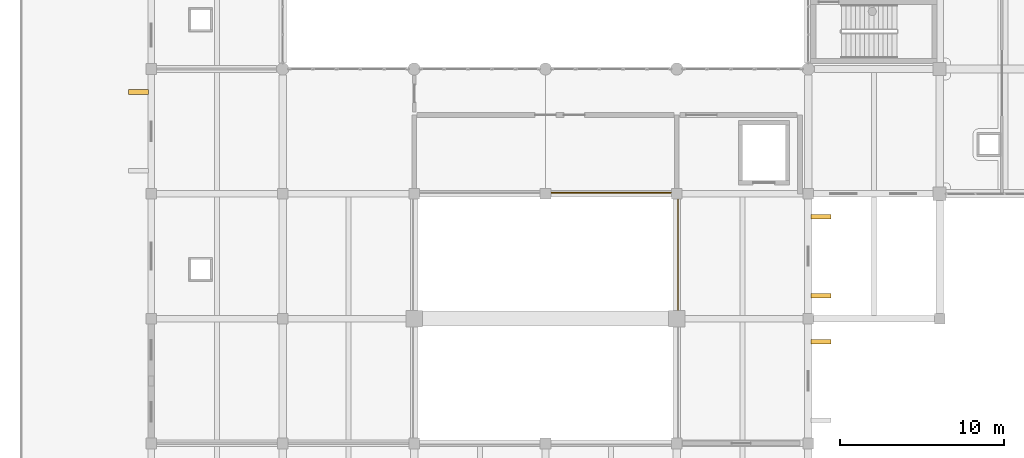
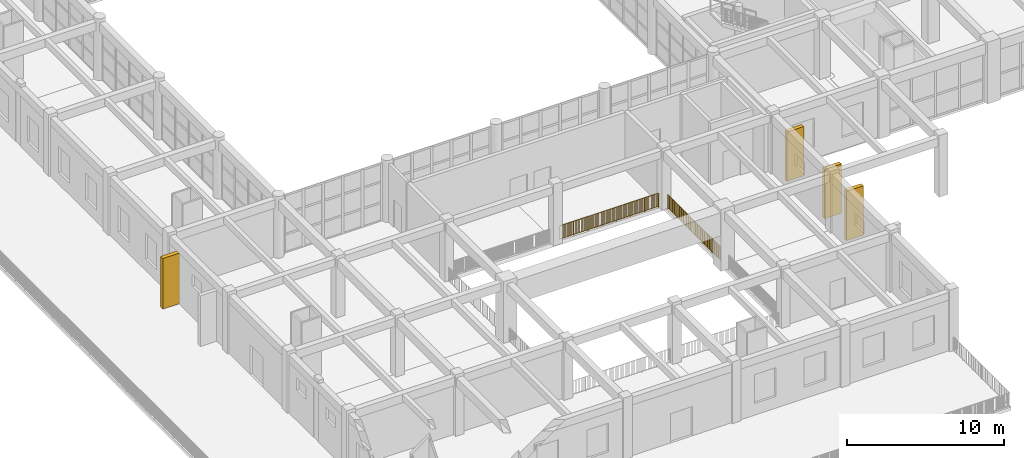
# One storey, part 88 of 101: 4 shading devices, 2 railings.
"""IFC4 building model written with IfcOpenShell, lengths in metres."""

from ifc_helpers import new_model, si_unit, direction, frame, origin, origin_2d, place, context, subcontext, project, spatial, rectangle, circle, extrude, material, type_object, element, save


model = new_model("IFC4")

# Units and contexts
model_context = context("Model", 3, precision=1e-05, world=origin(), true_north=direction((0.0, 1.0)))
body_context = subcontext(model_context, "Body", "Model", "MODEL_VIEW")
ifc_project = project(units=[si_unit("LENGTHUNIT", "METRE"), si_unit("AREAUNIT", "SQUARE_METRE"), si_unit("VOLUMEUNIT", "CUBIC_METRE"), si_unit("PLANEANGLEUNIT", "RADIAN"), si_unit("MASSUNIT", "GRAM", prefix="KILO")], contexts=[model_context])

# Site, building, storey
site_placement = place(None, origin())
site = spatial("IfcSite", under=ifc_project, at=site_placement, CompositionType="ELEMENT")
building_placement = place(site_placement, origin())
building = spatial("IfcBuilding", under=site, at=building_placement, Name="Zantavel Square City Hall", CompositionType="ELEMENT")
storey_placement = place(building_placement, frame((0.0, 0.0, 5.39990234375)))
storey = spatial("IfcBuildingStorey", under=building, at=storey_placement, Name="L02", CompositionType="ELEMENT", Elevation=5.39990234375)

# Railings
ifc_material_1 = material(Name="Steel ASTM A500 Grade B", Category="steel")
railing_type = type_object("IfcRailingType", Name="Atrium & Gallery Steel Guard Railing 1100mm", PredefinedType="GUARDRAIL", material=ifc_material_1)
railing_1_placement = place(storey_placement, frame((39.635009765625, 30.469970703125, 0.0)))
element("IfcRailing", 1, at=railing_1_placement, inside=storey, type_object=railing_type, Name="L02 Atrium Void Guard 007", PredefinedType="GUARDRAIL", context=body_context, shape_type="SweptSolid", body=[
    extrude(circle(Radius=0.02392578125, at=origin_2d()), frame((0.0, 0.0, 1.09619140625), z_axis=(-1.0, 0.0, 0.0), x_axis=(0.0, -1.0, 0.0)), (0.0, 0.0, 1.0), 7.27001953125),
    extrude(rectangle(XDim=0.031982421875, YDim=0.031982421875, at=origin_2d()), frame((0.0, 0.0, 0.080078125), z_axis=(-1.0, 0.0, 0.0), x_axis=(0.0, -1.0, 0.0)), (0.0, 0.0, 1.0), 7.27001953125),
    extrude(rectangle(XDim=0.02197265625, YDim=0.02197265625, at=origin_2d()), frame((-0.08984375, 0.0, 0.080078125)), (0.0, 0.0, 1.0), 0.991943359375),
    extrude(rectangle(XDim=0.02197265625, YDim=0.02197265625, at=origin_2d()), frame((-0.179443359375, 0.0, 0.080078125)), (0.0, 0.0, 1.0), 0.991943359375),
    extrude(rectangle(XDim=0.02197265625, YDim=0.02197265625, at=origin_2d()), frame((-0.269287109375, 0.0, 0.080078125)), (0.0, 0.0, 1.0), 0.991943359375),
    extrude(rectangle(XDim=0.02197265625, YDim=0.02197265625, at=origin_2d()), frame((-0.359130859375, 0.0, 0.080078125)), (0.0, 0.0, 1.0), 0.991943359375),
    extrude(rectangle(XDim=0.02197265625, YDim=0.02197265625, at=origin_2d()), frame((-0.44873046875, 0.0, 0.080078125)), (0.0, 0.0, 1.0), 0.991943359375),
    extrude(rectangle(XDim=0.02197265625, YDim=0.02197265625, at=origin_2d()), frame((-0.53857421875, 0.0, 0.080078125)), (0.0, 0.0, 1.0), 0.991943359375),
    extrude(rectangle(XDim=0.02197265625, YDim=0.02197265625, at=origin_2d()), frame((-0.628173828125, 0.0, 0.080078125)), (0.0, 0.0, 1.0), 0.991943359375),
    extrude(rectangle(XDim=0.02197265625, YDim=0.02197265625, at=origin_2d()), frame((-0.718017578125, 0.0, 0.080078125)), (0.0, 0.0, 1.0), 0.991943359375),
    extrude(rectangle(XDim=0.02197265625, YDim=0.02197265625, at=origin_2d()), frame((-0.807861328125, 0.0, 0.080078125)), (0.0, 0.0, 1.0), 0.991943359375),
    extrude(rectangle(XDim=0.02197265625, YDim=0.02197265625, at=origin_2d()), frame((-0.8974609375, 0.0, 0.080078125)), (0.0, 0.0, 1.0), 0.991943359375),
    extrude(rectangle(XDim=0.02197265625, YDim=0.02197265625, at=origin_2d()), frame((-0.9873046875, 0.0, 0.080078125)), (0.0, 0.0, 1.0), 0.991943359375),
    extrude(rectangle(XDim=0.02197265625, YDim=0.02197265625, at=origin_2d()), frame((-1.166748046875, 0.0, 0.080078125)), (0.0, 0.0, 1.0), 0.991943359375),
    extrude(rectangle(XDim=0.02197265625, YDim=0.02197265625, at=origin_2d()), frame((-1.256591796875, 0.0, 0.080078125)), (0.0, 0.0, 1.0), 0.991943359375),
    extrude(rectangle(XDim=0.02197265625, YDim=0.02197265625, at=origin_2d()), frame((-1.34619140625, 0.0, 0.080078125)), (0.0, 0.0, 1.0), 0.991943359375),
    extrude(rectangle(XDim=0.02197265625, YDim=0.02197265625, at=origin_2d()), frame((-1.43603515625, 0.0, 0.080078125)), (0.0, 0.0, 1.0), 0.991943359375),
    extrude(rectangle(XDim=0.02197265625, YDim=0.02197265625, at=origin_2d()), frame((-1.52587890625, 0.0, 0.080078125)), (0.0, 0.0, 1.0), 0.991943359375),
    extrude(rectangle(XDim=0.02197265625, YDim=0.02197265625, at=origin_2d()), frame((-1.615478515625, 0.0, 0.080078125)), (0.0, 0.0, 1.0), 0.991943359375),
    extrude(rectangle(XDim=0.02197265625, YDim=0.02197265625, at=origin_2d()), frame((-1.705322265625, 0.0, 0.080078125)), (0.0, 0.0, 1.0), 0.991943359375),
    extrude(rectangle(XDim=0.02197265625, YDim=0.02197265625, at=origin_2d()), frame((-1.795166015625, 0.0, 0.080078125)), (0.0, 0.0, 1.0), 0.991943359375),
    extrude(rectangle(XDim=0.02197265625, YDim=0.02197265625, at=origin_2d()), frame((-1.884765625, 0.0, 0.080078125)), (0.0, 0.0, 1.0), 0.991943359375),
    extrude(rectangle(XDim=0.02197265625, YDim=0.02197265625, at=origin_2d()), frame((-1.974609375, 0.0, 0.080078125)), (0.0, 0.0, 1.0), 0.991943359375),
    extrude(rectangle(XDim=0.02197265625, YDim=0.02197265625, at=origin_2d()), frame((-2.154052734375, 0.0, 0.080078125)), (0.0, 0.0, 1.0), 0.991943359375),
    extrude(rectangle(XDim=0.02197265625, YDim=0.02197265625, at=origin_2d()), frame((-2.243896484375, 0.0, 0.080078125)), (0.0, 0.0, 1.0), 0.991943359375),
    extrude(rectangle(XDim=0.02197265625, YDim=0.02197265625, at=origin_2d()), frame((-2.33349609375, 0.0, 0.080078125)), (0.0, 0.0, 1.0), 0.991943359375),
    extrude(rectangle(XDim=0.02197265625, YDim=0.02197265625, at=origin_2d()), frame((-2.42333984375, 0.0, 0.080078125)), (0.0, 0.0, 1.0), 0.991943359375),
    extrude(rectangle(XDim=0.02197265625, YDim=0.02197265625, at=origin_2d()), frame((-2.51318359375, 0.0, 0.080078125)), (0.0, 0.0, 1.0), 0.991943359375),
    extrude(rectangle(XDim=0.02197265625, YDim=0.02197265625, at=origin_2d()), frame((-2.602783203125, 0.0, 0.080078125)), (0.0, 0.0, 1.0), 0.991943359375),
    extrude(rectangle(XDim=0.02197265625, YDim=0.02197265625, at=origin_2d()), frame((-2.692626953125, 0.0, 0.080078125)), (0.0, 0.0, 1.0), 0.991943359375),
    extrude(rectangle(XDim=0.02197265625, YDim=0.02197265625, at=origin_2d()), frame((-2.782470703125, 0.0, 0.080078125)), (0.0, 0.0, 1.0), 0.991943359375),
    extrude(rectangle(XDim=0.02197265625, YDim=0.02197265625, at=origin_2d()), frame((-2.8720703125, 0.0, 0.080078125)), (0.0, 0.0, 1.0), 0.991943359375),
    extrude(rectangle(XDim=0.02197265625, YDim=0.02197265625, at=origin_2d()), frame((-2.9619140625, 0.0, 0.080078125)), (0.0, 0.0, 1.0), 0.991943359375),
    extrude(rectangle(XDim=0.02197265625, YDim=0.02197265625, at=origin_2d()), frame((-3.051513671875, 0.0, 0.080078125)), (0.0, 0.0, 1.0), 0.991943359375),
    extrude(rectangle(XDim=0.02197265625, YDim=0.02197265625, at=origin_2d()), frame((-3.231201171875, 0.0, 0.080078125)), (0.0, 0.0, 1.0), 0.991943359375),
    extrude(rectangle(XDim=0.02197265625, YDim=0.02197265625, at=origin_2d()), frame((-3.32080078125, 0.0, 0.080078125)), (0.0, 0.0, 1.0), 0.991943359375),
    extrude(rectangle(XDim=0.02197265625, YDim=0.02197265625, at=origin_2d()), frame((-3.41064453125, 0.0, 0.080078125)), (0.0, 0.0, 1.0), 0.991943359375),
    extrude(rectangle(XDim=0.02197265625, YDim=0.02197265625, at=origin_2d()), frame((-3.50048828125, 0.0, 0.080078125)), (0.0, 0.0, 1.0), 0.991943359375),
    extrude(rectangle(XDim=0.02197265625, YDim=0.02197265625, at=origin_2d()), frame((-3.590087890625, 0.0, 0.080078125)), (0.0, 0.0, 1.0), 0.991943359375),
    extrude(rectangle(XDim=0.02197265625, YDim=0.02197265625, at=origin_2d()), frame((-3.679931640625, 0.0, 0.080078125)), (0.0, 0.0, 1.0), 0.991943359375),
    extrude(rectangle(XDim=0.02197265625, YDim=0.02197265625, at=origin_2d()), frame((-3.76953125, 0.0, 0.080078125)), (0.0, 0.0, 1.0), 0.991943359375),
    extrude(rectangle(XDim=0.02197265625, YDim=0.02197265625, at=origin_2d()), frame((-3.859375, 0.0, 0.080078125)), (0.0, 0.0, 1.0), 0.991943359375),
    extrude(rectangle(XDim=0.02197265625, YDim=0.02197265625, at=origin_2d()), frame((-3.94921875, 0.0, 0.080078125)), (0.0, 0.0, 1.0), 0.991943359375),
    extrude(rectangle(XDim=0.02197265625, YDim=0.02197265625, at=origin_2d()), frame((-4.038818359375, 0.0, 0.080078125)), (0.0, 0.0, 1.0), 0.991943359375),
    extrude(rectangle(XDim=0.02197265625, YDim=0.02197265625, at=origin_2d()), frame((-4.218505859375, 0.0, 0.080078125)), (0.0, 0.0, 1.0), 0.991943359375),
    extrude(rectangle(XDim=0.02197265625, YDim=0.02197265625, at=origin_2d()), frame((-4.30810546875, 0.0, 0.080078125)), (0.0, 0.0, 1.0), 0.991943359375),
    extrude(rectangle(XDim=0.02197265625, YDim=0.02197265625, at=origin_2d()), frame((-4.39794921875, 0.0, 0.080078125)), (0.0, 0.0, 1.0), 0.991943359375),
    extrude(rectangle(XDim=0.02197265625, YDim=0.02197265625, at=origin_2d()), frame((-4.487548828125, 0.0, 0.080078125)), (0.0, 0.0, 1.0), 0.991943359375),
    extrude(rectangle(XDim=0.02197265625, YDim=0.02197265625, at=origin_2d()), frame((-4.577392578125, 0.0, 0.080078125)), (0.0, 0.0, 1.0), 0.991943359375),
    extrude(rectangle(XDim=0.02197265625, YDim=0.02197265625, at=origin_2d()), frame((-4.667236328125, 0.0, 0.080078125)), (0.0, 0.0, 1.0), 0.991943359375),
    extrude(rectangle(XDim=0.02197265625, YDim=0.02197265625, at=origin_2d()), frame((-4.7568359375, 0.0, 0.080078125)), (0.0, 0.0, 1.0), 0.991943359375),
    extrude(rectangle(XDim=0.02197265625, YDim=0.02197265625, at=origin_2d()), frame((-4.8466796875, 0.0, 0.080078125)), (0.0, 0.0, 1.0), 0.991943359375),
    extrude(rectangle(XDim=0.02197265625, YDim=0.02197265625, at=origin_2d()), frame((-4.9365234375, 0.0, 0.080078125)), (0.0, 0.0, 1.0), 0.991943359375),
    extrude(rectangle(XDim=0.02197265625, YDim=0.02197265625, at=origin_2d()), frame((-5.026123046875, 0.0, 0.080078125)), (0.0, 0.0, 1.0), 0.991943359375),
    extrude(rectangle(XDim=0.02197265625, YDim=0.02197265625, at=origin_2d()), frame((-5.115966796875, 0.0, 0.080078125)), (0.0, 0.0, 1.0), 0.991943359375),
    extrude(rectangle(XDim=0.02197265625, YDim=0.02197265625, at=origin_2d()), frame((-5.29541015625, 0.0, 0.080078125)), (0.0, 0.0, 1.0), 0.991943359375),
    extrude(rectangle(XDim=0.02197265625, YDim=0.02197265625, at=origin_2d()), frame((-5.38525390625, 0.0, 0.080078125)), (0.0, 0.0, 1.0), 0.991943359375),
    extrude(rectangle(XDim=0.02197265625, YDim=0.02197265625, at=origin_2d()), frame((-5.474853515625, 0.0, 0.080078125)), (0.0, 0.0, 1.0), 0.991943359375),
    extrude(rectangle(XDim=0.02197265625, YDim=0.02197265625, at=origin_2d()), frame((-5.564697265625, 0.0, 0.080078125)), (0.0, 0.0, 1.0), 0.991943359375),
    extrude(rectangle(XDim=0.02197265625, YDim=0.02197265625, at=origin_2d()), frame((-5.654541015625, 0.0, 0.080078125)), (0.0, 0.0, 1.0), 0.991943359375),
    extrude(rectangle(XDim=0.02197265625, YDim=0.02197265625, at=origin_2d()), frame((-5.744140625, 0.0, 0.080078125)), (0.0, 0.0, 1.0), 0.991943359375),
    extrude(rectangle(XDim=0.02197265625, YDim=0.02197265625, at=origin_2d()), frame((-5.833984375, 0.0, 0.080078125)), (0.0, 0.0, 1.0), 0.991943359375),
    extrude(rectangle(XDim=0.02197265625, YDim=0.02197265625, at=origin_2d()), frame((-5.923828125, 0.0, 0.080078125)), (0.0, 0.0, 1.0), 0.991943359375),
    extrude(rectangle(XDim=0.02197265625, YDim=0.02197265625, at=origin_2d()), frame((-6.013427734375, 0.0, 0.080078125)), (0.0, 0.0, 1.0), 0.991943359375),
    extrude(rectangle(XDim=0.02197265625, YDim=0.02197265625, at=origin_2d()), frame((-6.103271484375, 0.0, 0.080078125)), (0.0, 0.0, 1.0), 0.991943359375),
    extrude(rectangle(XDim=0.02197265625, YDim=0.02197265625, at=origin_2d()), frame((-6.28271484375, 0.0, 0.080078125)), (0.0, 0.0, 1.0), 0.991943359375),
    extrude(rectangle(XDim=0.02197265625, YDim=0.02197265625, at=origin_2d()), frame((-6.37255859375, 0.0, 0.080078125)), (0.0, 0.0, 1.0), 0.991943359375),
    extrude(rectangle(XDim=0.02197265625, YDim=0.02197265625, at=origin_2d()), frame((-6.462158203125, 0.0, 0.080078125)), (0.0, 0.0, 1.0), 0.991943359375),
    extrude(rectangle(XDim=0.02197265625, YDim=0.02197265625, at=origin_2d()), frame((-6.552001953125, 0.0, 0.080078125)), (0.0, 0.0, 1.0), 0.991943359375),
    extrude(rectangle(XDim=0.02197265625, YDim=0.02197265625, at=origin_2d()), frame((-6.641845703125, 0.0, 0.080078125)), (0.0, 0.0, 1.0), 0.991943359375),
    extrude(rectangle(XDim=0.02197265625, YDim=0.02197265625, at=origin_2d()), frame((-6.7314453125, 0.0, 0.080078125)), (0.0, 0.0, 1.0), 0.991943359375),
    extrude(rectangle(XDim=0.02197265625, YDim=0.02197265625, at=origin_2d()), frame((-6.8212890625, 0.0, 0.080078125)), (0.0, 0.0, 1.0), 0.991943359375),
    extrude(rectangle(XDim=0.02197265625, YDim=0.02197265625, at=origin_2d()), frame((-6.910888671875, 0.0, 0.080078125)), (0.0, 0.0, 1.0), 0.991943359375),
    extrude(rectangle(XDim=0.02197265625, YDim=0.02197265625, at=origin_2d()), frame((-7.000732421875, 0.0, 0.080078125)), (0.0, 0.0, 1.0), 0.991943359375),
    extrude(rectangle(XDim=0.02197265625, YDim=0.02197265625, at=origin_2d()), frame((-7.090576171875, 0.0, 0.080078125)), (0.0, 0.0, 1.0), 0.991943359375),
    extrude(rectangle(XDim=0.02197265625, YDim=0.02197265625, at=origin_2d()), frame((-7.18017578125, 0.0, 0.080078125)), (0.0, 0.0, 1.0), 0.991943359375),
    extrude(circle(Radius=0.02099609375, at=origin_2d()), origin(), (0.0, 0.0, 1.0), 1.072021484375),
    extrude(circle(Radius=0.02099609375, at=origin_2d()), frame((-1.03857421875, 0.0, 0.0)), (0.0, 0.0, 1.0), 1.072021484375),
    extrude(circle(Radius=0.02099609375, at=origin_2d()), frame((-2.0771484375, 0.0, 0.0)), (0.0, 0.0, 1.0), 1.072021484375),
    extrude(circle(Radius=0.02099609375, at=origin_2d()), frame((-3.11572265625, 0.0, 0.0)), (0.0, 0.0, 1.0), 1.072021484375),
    extrude(circle(Radius=0.02099609375, at=origin_2d()), frame((-4.154296875, 0.0, 0.0)), (0.0, 0.0, 1.0), 1.072021484375),
    extrude(circle(Radius=0.02099609375, at=origin_2d()), frame((-5.19287109375, 0.0, 0.0)), (0.0, 0.0, 1.0), 1.072021484375),
    extrude(circle(Radius=0.02099609375, at=origin_2d()), frame((-6.2314453125, 0.0, 0.0)), (0.0, 0.0, 1.0), 1.072021484375),
    extrude(circle(Radius=0.02099609375, at=origin_2d()), frame((-7.27001953125, 0.0, 0.0)), (0.0, 0.0, 1.0), 1.072021484375),
])
railing_2_placement = place(storey_placement, frame((40.070068359375, 23.340087890625, 0.0)))
element("IfcRailing", 2, at=railing_2_placement, inside=storey, type_object=railing_type, Name="L02 Atrium Void Guard 009", PredefinedType="GUARDRAIL", context=body_context, shape_type="SweptSolid", body=[
    extrude(circle(Radius=0.02392578125, at=origin_2d()), frame((0.0, 0.0, 1.09619140625), z_axis=(0.0, 1.0, 0.0), x_axis=(-1.0, 0.0, 0.0)), (0.0, 0.0, 1.0), 6.69482421875),
    extrude(rectangle(XDim=0.031982421875, YDim=0.031982421875, at=origin_2d()), frame((0.0, 0.0, 0.080078125), z_axis=(0.0, 1.0, 0.0), x_axis=(-1.0, 0.0, 0.0)), (0.0, 0.0, 1.0), 6.69482421875),
    extrude(rectangle(XDim=0.02197265625, YDim=0.02197265625, at=origin_2d()), frame((0.0, 0.08935546875, 0.080078125)), (0.0, 0.0, 1.0), 0.991943359375),
    extrude(rectangle(XDim=0.02197265625, YDim=0.02197265625, at=origin_2d()), frame((0.0, 0.178466796875, 0.080078125)), (0.0, 0.0, 1.0), 0.991943359375),
    extrude(rectangle(XDim=0.02197265625, YDim=0.02197265625, at=origin_2d()), frame((0.0, 0.267822265625, 0.080078125)), (0.0, 0.0, 1.0), 0.991943359375),
    extrude(rectangle(XDim=0.02197265625, YDim=0.02197265625, at=origin_2d()), frame((0.0, 0.357177734375, 0.080078125)), (0.0, 0.0, 1.0), 0.991943359375),
    extrude(rectangle(XDim=0.02197265625, YDim=0.02197265625, at=origin_2d()), frame((0.0, 0.4462890625, 0.080078125)), (0.0, 0.0, 1.0), 0.991943359375),
    extrude(rectangle(XDim=0.02197265625, YDim=0.02197265625, at=origin_2d()), frame((0.0, 0.53564453125, 0.080078125)), (0.0, 0.0, 1.0), 0.991943359375),
    extrude(rectangle(XDim=0.02197265625, YDim=0.02197265625, at=origin_2d()), frame((0.0, 0.624755859375, 0.080078125)), (0.0, 0.0, 1.0), 0.991943359375),
    extrude(rectangle(XDim=0.02197265625, YDim=0.02197265625, at=origin_2d()), frame((0.0, 0.714111328125, 0.080078125)), (0.0, 0.0, 1.0), 0.991943359375),
    extrude(rectangle(XDim=0.02197265625, YDim=0.02197265625, at=origin_2d()), frame((0.0, 0.803466796875, 0.080078125)), (0.0, 0.0, 1.0), 0.991943359375),
    extrude(rectangle(XDim=0.02197265625, YDim=0.02197265625, at=origin_2d()), frame((0.0, 0.892578125, 0.080078125)), (0.0, 0.0, 1.0), 0.991943359375),
    extrude(rectangle(XDim=0.02197265625, YDim=0.02197265625, at=origin_2d()), frame((0.0, 0.98193359375, 0.080078125)), (0.0, 0.0, 1.0), 0.991943359375),
    extrude(rectangle(XDim=0.02197265625, YDim=0.02197265625, at=origin_2d()), frame((0.0, 1.249755859375, 0.080078125)), (0.0, 0.0, 1.0), 0.991943359375),
    extrude(rectangle(XDim=0.02197265625, YDim=0.02197265625, at=origin_2d()), frame((0.0, 1.3388671875, 0.080078125)), (0.0, 0.0, 1.0), 0.991943359375),
    extrude(rectangle(XDim=0.02197265625, YDim=0.02197265625, at=origin_2d()), frame((0.0, 1.42822265625, 0.080078125)), (0.0, 0.0, 1.0), 0.991943359375),
    extrude(rectangle(XDim=0.02197265625, YDim=0.02197265625, at=origin_2d()), frame((0.0, 1.517578125, 0.080078125)), (0.0, 0.0, 1.0), 0.991943359375),
    extrude(rectangle(XDim=0.02197265625, YDim=0.02197265625, at=origin_2d()), frame((0.0, 1.606689453125, 0.080078125)), (0.0, 0.0, 1.0), 0.991943359375),
    extrude(rectangle(XDim=0.02197265625, YDim=0.02197265625, at=origin_2d()), frame((0.0, 1.696044921875, 0.080078125)), (0.0, 0.0, 1.0), 0.991943359375),
    extrude(rectangle(XDim=0.02197265625, YDim=0.02197265625, at=origin_2d()), frame((0.0, 1.785400390625, 0.080078125)), (0.0, 0.0, 1.0), 0.991943359375),
    extrude(rectangle(XDim=0.02197265625, YDim=0.02197265625, at=origin_2d()), frame((0.0, 1.87451171875, 0.080078125)), (0.0, 0.0, 1.0), 0.991943359375),
    extrude(rectangle(XDim=0.02197265625, YDim=0.02197265625, at=origin_2d()), frame((0.0, 1.9638671875, 0.080078125)), (0.0, 0.0, 1.0), 0.991943359375),
    extrude(rectangle(XDim=0.02197265625, YDim=0.02197265625, at=origin_2d()), frame((0.0, 2.052978515625, 0.080078125)), (0.0, 0.0, 1.0), 0.991943359375),
    extrude(rectangle(XDim=0.02197265625, YDim=0.02197265625, at=origin_2d()), frame((0.0, 2.142333984375, 0.080078125)), (0.0, 0.0, 1.0), 0.991943359375),
    extrude(rectangle(XDim=0.02197265625, YDim=0.02197265625, at=origin_2d()), frame((0.0, 2.32080078125, 0.080078125)), (0.0, 0.0, 1.0), 0.991943359375),
    extrude(rectangle(XDim=0.02197265625, YDim=0.02197265625, at=origin_2d()), frame((0.0, 2.41015625, 0.080078125)), (0.0, 0.0, 1.0), 0.991943359375),
    extrude(rectangle(XDim=0.02197265625, YDim=0.02197265625, at=origin_2d()), frame((0.0, 2.49951171875, 0.080078125)), (0.0, 0.0, 1.0), 0.991943359375),
    extrude(rectangle(XDim=0.02197265625, YDim=0.02197265625, at=origin_2d()), frame((0.0, 2.588623046875, 0.080078125)), (0.0, 0.0, 1.0), 0.991943359375),
    extrude(rectangle(XDim=0.02197265625, YDim=0.02197265625, at=origin_2d()), frame((0.0, 2.677978515625, 0.080078125)), (0.0, 0.0, 1.0), 0.991943359375),
    extrude(rectangle(XDim=0.02197265625, YDim=0.02197265625, at=origin_2d()), frame((0.0, 2.76708984375, 0.080078125)), (0.0, 0.0, 1.0), 0.991943359375),
    extrude(rectangle(XDim=0.02197265625, YDim=0.02197265625, at=origin_2d()), frame((0.0, 2.8564453125, 0.080078125)), (0.0, 0.0, 1.0), 0.991943359375),
    extrude(rectangle(XDim=0.02197265625, YDim=0.02197265625, at=origin_2d()), frame((0.0, 2.94580078125, 0.080078125)), (0.0, 0.0, 1.0), 0.991943359375),
    extrude(rectangle(XDim=0.02197265625, YDim=0.02197265625, at=origin_2d()), frame((0.0, 3.034912109375, 0.080078125)), (0.0, 0.0, 1.0), 0.991943359375),
    extrude(rectangle(XDim=0.02197265625, YDim=0.02197265625, at=origin_2d()), frame((0.0, 3.124267578125, 0.080078125)), (0.0, 0.0, 1.0), 0.991943359375),
    extrude(rectangle(XDim=0.02197265625, YDim=0.02197265625, at=origin_2d()), frame((0.0, 3.213623046875, 0.080078125)), (0.0, 0.0, 1.0), 0.991943359375),
    extrude(rectangle(XDim=0.02197265625, YDim=0.02197265625, at=origin_2d()), frame((0.0, 3.481201171875, 0.080078125)), (0.0, 0.0, 1.0), 0.991943359375),
    extrude(rectangle(XDim=0.02197265625, YDim=0.02197265625, at=origin_2d()), frame((0.0, 3.570556640625, 0.080078125)), (0.0, 0.0, 1.0), 0.991943359375),
    extrude(rectangle(XDim=0.02197265625, YDim=0.02197265625, at=origin_2d()), frame((0.0, 3.659912109375, 0.080078125)), (0.0, 0.0, 1.0), 0.991943359375),
    extrude(rectangle(XDim=0.02197265625, YDim=0.02197265625, at=origin_2d()), frame((0.0, 3.7490234375, 0.080078125)), (0.0, 0.0, 1.0), 0.991943359375),
    extrude(rectangle(XDim=0.02197265625, YDim=0.02197265625, at=origin_2d()), frame((0.0, 3.83837890625, 0.080078125)), (0.0, 0.0, 1.0), 0.991943359375),
    extrude(rectangle(XDim=0.02197265625, YDim=0.02197265625, at=origin_2d()), frame((0.0, 3.927734375, 0.080078125)), (0.0, 0.0, 1.0), 0.991943359375),
    extrude(rectangle(XDim=0.02197265625, YDim=0.02197265625, at=origin_2d()), frame((0.0, 4.016845703125, 0.080078125)), (0.0, 0.0, 1.0), 0.991943359375),
    extrude(rectangle(XDim=0.02197265625, YDim=0.02197265625, at=origin_2d()), frame((0.0, 4.106201171875, 0.080078125)), (0.0, 0.0, 1.0), 0.991943359375),
    extrude(rectangle(XDim=0.02197265625, YDim=0.02197265625, at=origin_2d()), frame((0.0, 4.1953125, 0.080078125)), (0.0, 0.0, 1.0), 0.991943359375),
    extrude(rectangle(XDim=0.02197265625, YDim=0.02197265625, at=origin_2d()), frame((0.0, 4.28466796875, 0.080078125)), (0.0, 0.0, 1.0), 0.991943359375),
    extrude(rectangle(XDim=0.02197265625, YDim=0.02197265625, at=origin_2d()), frame((0.0, 4.3740234375, 0.080078125)), (0.0, 0.0, 1.0), 0.991943359375),
    extrude(rectangle(XDim=0.02197265625, YDim=0.02197265625, at=origin_2d()), frame((0.0, 4.552490234375, 0.080078125)), (0.0, 0.0, 1.0), 0.991943359375),
    extrude(rectangle(XDim=0.02197265625, YDim=0.02197265625, at=origin_2d()), frame((0.0, 4.641845703125, 0.080078125)), (0.0, 0.0, 1.0), 0.991943359375),
    extrude(rectangle(XDim=0.02197265625, YDim=0.02197265625, at=origin_2d()), frame((0.0, 4.73095703125, 0.080078125)), (0.0, 0.0, 1.0), 0.991943359375),
    extrude(rectangle(XDim=0.02197265625, YDim=0.02197265625, at=origin_2d()), frame((0.0, 4.8203125, 0.080078125)), (0.0, 0.0, 1.0), 0.991943359375),
    extrude(rectangle(XDim=0.02197265625, YDim=0.02197265625, at=origin_2d()), frame((0.0, 4.909423828125, 0.080078125)), (0.0, 0.0, 1.0), 0.991943359375),
    extrude(rectangle(XDim=0.02197265625, YDim=0.02197265625, at=origin_2d()), frame((0.0, 4.998779296875, 0.080078125)), (0.0, 0.0, 1.0), 0.991943359375),
    extrude(rectangle(XDim=0.02197265625, YDim=0.02197265625, at=origin_2d()), frame((0.0, 5.088134765625, 0.080078125)), (0.0, 0.0, 1.0), 0.991943359375),
    extrude(rectangle(XDim=0.02197265625, YDim=0.02197265625, at=origin_2d()), frame((0.0, 5.17724609375, 0.080078125)), (0.0, 0.0, 1.0), 0.991943359375),
    extrude(rectangle(XDim=0.02197265625, YDim=0.02197265625, at=origin_2d()), frame((0.0, 5.2666015625, 0.080078125)), (0.0, 0.0, 1.0), 0.991943359375),
    extrude(rectangle(XDim=0.02197265625, YDim=0.02197265625, at=origin_2d()), frame((0.0, 5.35595703125, 0.080078125)), (0.0, 0.0, 1.0), 0.991943359375),
    extrude(rectangle(XDim=0.02197265625, YDim=0.02197265625, at=origin_2d()), frame((0.0, 5.445068359375, 0.080078125)), (0.0, 0.0, 1.0), 0.991943359375),
    extrude(rectangle(XDim=0.02197265625, YDim=0.02197265625, at=origin_2d()), frame((0.0, 5.712890625, 0.080078125)), (0.0, 0.0, 1.0), 0.991943359375),
    extrude(rectangle(XDim=0.02197265625, YDim=0.02197265625, at=origin_2d()), frame((0.0, 5.80224609375, 0.080078125)), (0.0, 0.0, 1.0), 0.991943359375),
    extrude(rectangle(XDim=0.02197265625, YDim=0.02197265625, at=origin_2d()), frame((0.0, 5.891357421875, 0.080078125)), (0.0, 0.0, 1.0), 0.991943359375),
    extrude(rectangle(XDim=0.02197265625, YDim=0.02197265625, at=origin_2d()), frame((0.0, 5.980712890625, 0.080078125)), (0.0, 0.0, 1.0), 0.991943359375),
    extrude(rectangle(XDim=0.02197265625, YDim=0.02197265625, at=origin_2d()), frame((0.0, 6.070068359375, 0.080078125)), (0.0, 0.0, 1.0), 0.991943359375),
    extrude(rectangle(XDim=0.02197265625, YDim=0.02197265625, at=origin_2d()), frame((0.0, 6.1591796875, 0.080078125)), (0.0, 0.0, 1.0), 0.991943359375),
    extrude(rectangle(XDim=0.02197265625, YDim=0.02197265625, at=origin_2d()), frame((0.0, 6.24853515625, 0.080078125)), (0.0, 0.0, 1.0), 0.991943359375),
    extrude(rectangle(XDim=0.02197265625, YDim=0.02197265625, at=origin_2d()), frame((0.0, 6.337646484375, 0.080078125)), (0.0, 0.0, 1.0), 0.991943359375),
    extrude(rectangle(XDim=0.02197265625, YDim=0.02197265625, at=origin_2d()), frame((0.0, 6.427001953125, 0.080078125)), (0.0, 0.0, 1.0), 0.991943359375),
    extrude(rectangle(XDim=0.02197265625, YDim=0.02197265625, at=origin_2d()), frame((0.0, 6.516357421875, 0.080078125)), (0.0, 0.0, 1.0), 0.991943359375),
    extrude(rectangle(XDim=0.02197265625, YDim=0.02197265625, at=origin_2d()), frame((0.0, 6.60546875, 0.080078125)), (0.0, 0.0, 1.0), 0.991943359375),
    extrude(circle(Radius=0.02099609375, at=origin_2d()), origin(), (0.0, 0.0, 1.0), 1.072021484375),
    extrude(circle(Radius=0.02099609375, at=origin_2d()), frame((0.0, 1.11572265625, 0.0)), (0.0, 0.0, 1.0), 1.072021484375),
    extrude(circle(Radius=0.02099609375, at=origin_2d()), frame((0.0, 2.231689453125, 0.0)), (0.0, 0.0, 1.0), 1.072021484375),
    extrude(circle(Radius=0.02099609375, at=origin_2d()), frame((0.0, 3.347412109375, 0.0)), (0.0, 0.0, 1.0), 1.072021484375),
    extrude(circle(Radius=0.02099609375, at=origin_2d()), frame((0.0, 4.463134765625, 0.0)), (0.0, 0.0, 1.0), 1.072021484375),
    extrude(circle(Radius=0.02099609375, at=origin_2d()), frame((0.0, 5.5791015625, 0.0)), (0.0, 0.0, 1.0), 1.072021484375),
    extrude(circle(Radius=0.02099609375, at=origin_2d()), frame((0.0, 6.69482421875, 0.0)), (0.0, 0.0, 1.0), 1.072021484375),
])

# Shading devices
ifc_material_2 = material(Name="Cantera volcanic tuff stone", Category="masonry")
shading_device_type = type_object("IfcShadingDeviceType", Name="Cantera Vertical Solar Shading Pier 280x1240", PredefinedType="USERDEFINED", material=ifc_material_2)
for number, where, z_axis, x_axis, name in (
    (3, (48.780029296875, 29.0, 0.0), (0.0, 0.0, 1.0), (1.0, 0.0, 0.0), "L02 Cantera Solar Pier 015"),
    (4, (48.780029296875, 24.199951171875, 0.0), (0.0, 0.0, 1.0), (1.0, 0.0, 0.0), "L02 Cantera Solar Pier 016"),
    (5, (48.780029296875, 21.39990234375, 0.0), (0.0, 0.0, 1.0), (1.0, 0.0, 0.0), "L02 Cantera Solar Pier 017"),
):
    element("IfcShadingDevice", number, at=place(storey_placement, frame(where, z_axis=z_axis, x_axis=x_axis)), inside=storey, type_object=shading_device_type, Name=name, ObjectType="FIN", PredefinedType="USERDEFINED", context=body_context, shape_type="SweptSolid", body=[
        extrude(rectangle(XDim=1.239990234375, YDim=0.280029296875, at=origin_2d()), origin(), (0.0, 0.0, 1.0), 3.840087890625),
    ])
shading_device_placement = place(storey_placement, frame((7.219970703125, 36.60009765625, 0.000244140625), z_axis=(0.0, 0.0, 1.0), x_axis=(1.0, 0.0, 0.0)))
element("IfcShadingDevice", 6, at=shading_device_placement, inside=storey, type_object=shading_device_type, Name="L02 Cantera Solar Pier 020", ObjectType="FIN", PredefinedType="USERDEFINED", context=body_context, shape_type="SweptSolid", body=[
    extrude(rectangle(XDim=1.239990234375, YDim=0.280029296875, at=origin_2d()), origin(), (0.0, 0.0, 1.0), 3.93994140625),
])

save(model, "model.ifc")
